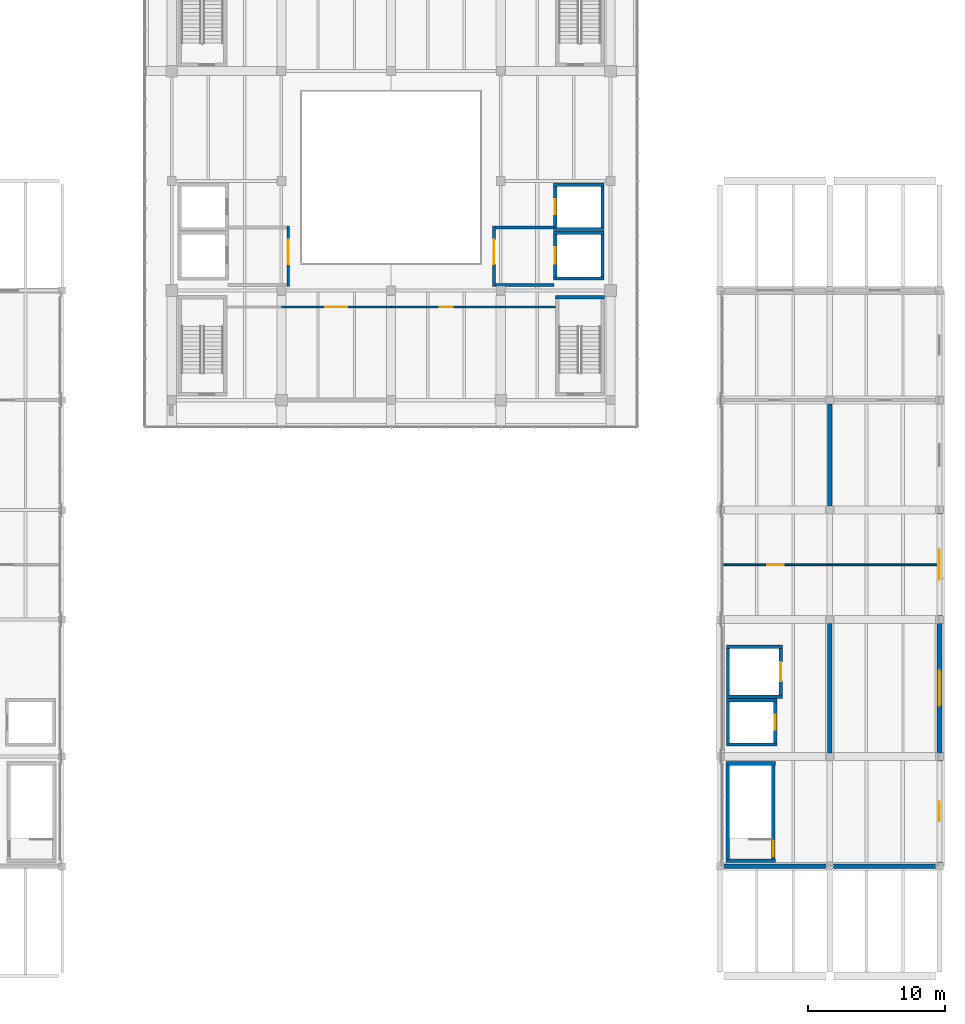
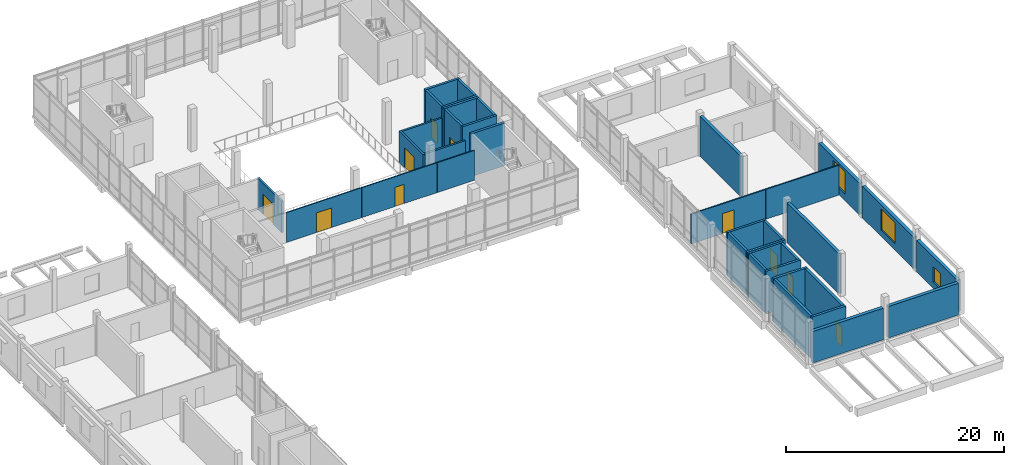
# One storey, part 21 of 28: 37 walls, 10 doors, 3 windows, 13 openings.
"""IFC4 building model written with IfcOpenShell, lengths in metres."""

from ifc_helpers import new_model, si_unit, direction, frame, frame_2d, origin, place, context, subcontext, project, spatial, rectangle, extrude, material, layer, layer_set, type_object, element, fill, save


model = new_model("IFC4")

# Units and contexts
model_context = context("Model", 3, precision=1e-05, world=origin(), true_north=direction((0.0, 1.0)))
body_context = subcontext(model_context, "Body", "Model", "MODEL_VIEW")
ifc_project = project(units=[si_unit("LENGTHUNIT", "METRE"), si_unit("AREAUNIT", "SQUARE_METRE"), si_unit("VOLUMEUNIT", "CUBIC_METRE"), si_unit("PLANEANGLEUNIT", "RADIAN"), si_unit("MASSUNIT", "GRAM", prefix="KILO")], contexts=[model_context])

# Site, building, storey
site_placement = place(None, origin())
site = spatial("IfcSite", under=ifc_project, at=site_placement, CompositionType="ELEMENT")
building_placement = place(site_placement, origin())
building = spatial("IfcBuilding", under=site, at=building_placement, Name="Pecanmere Concourse Central Library", CompositionType="ELEMENT")
storey_placement = place(building_placement, frame((0.0, 0.0, 20.10009765625)))
storey = spatial("IfcBuildingStorey", under=building, at=storey_placement, Name="L05", CompositionType="ELEMENT", Elevation=20.10009765625)

# Wall, opening, window
ifc_material_1 = material(Name="Texas cream limestone ashlar masonry", Category="masonry")
ifc_layer_1 = layer(ifc_material_1, 0.35009765625, Name="EW_LIME_350")
ifc_layer_set_1 = layer_set([ifc_layer_1], Name="Texas cream limestone ashlar masonry")
wall_type_1 = type_object("IfcWallType", Name="EW_LIME_350", PredefinedType="STANDARD", material=ifc_layer_set_1)
wall_1_placement = place(storey_placement, frame((128.0, 56.27001953125, 0.0), z_axis=(0.0, 0.0, 1.0), x_axis=(0.0, 1.0, 0.0)))
wall_1 = element("IfcWall", 1, at=wall_1_placement, inside=storey, type_object=wall_type_1, Name="Limestone Facade Wall L05-0199", PredefinedType="STANDARD", context=body_context, shape_type="SweptSolid", body=[
    extrude(rectangle(XDim=7.4599609375, YDim=0.35009765625, at=frame_2d((3.72998046875, 0.0))), origin(), (0.0, 0.0, 1.0), 3.539794921875),
])
opening_1_placement = place(wall_1_placement, frame((3.030029296875, 0.0, 0.719970703125)))
opening_1 = element("IfcOpeningElement", 2, at=opening_1_placement, cuts=wall_1, Name="Opening WN-11", PredefinedType="OPENING", context=body_context, shape_type="SweptSolid", body=[
    extrude(rectangle(XDim=1.39990234375, YDim=1.699951171875, at=frame_2d((0.699951171875, 0.85009765625))), frame((0.0, 0.18701171875, 0.0), z_axis=(0.0, -1.0, 0.0), x_axis=(1.0, 0.0, 0.0)), (0.0, 0.0, 1.0), 0.3740234375),
])
ifc_material_2 = material(Name="Low-iron clear insulated glazing", Category="glass")
window_type_1 = type_object("IfcWindowType", Name="WIN_1400x1700", PartitioningType="SINGLE_PANEL", PredefinedType="WINDOW", material=ifc_material_2)
window_1_placement = place(opening_1_placement, origin())
window_1 = element("IfcWindow", 3, at=window_1_placement, inside=storey, type_object=window_type_1, Name="WN-168", OverallHeight=1.699951171875, OverallWidth=1.39990234375, PartitioningType="SINGLE_PANEL", PredefinedType="WINDOW", context=body_context, shape_type="SweptSolid", body=[
    extrude(rectangle(XDim=1.39990234375, YDim=1.699951171875, at=frame_2d((0.699951171875, 0.85009765625))), frame((0.0, 0.030029296875, 0.0), z_axis=(0.0, -1.0, 0.0), x_axis=(1.0, 0.0, 0.0)), (0.0, 0.0, 1.0), 0.06005859375),
])
fill(opening_1, window_1)

wall_2_placement = place(storey_placement, frame((128.0, 64.27001953125, 0.0), z_axis=(0.0, 0.0, 1.0), x_axis=(0.0, 1.0, 0.0)))
wall_2 = element("IfcWall", 4, at=wall_2_placement, inside=storey, type_object=wall_type_1, Name="Limestone Facade Wall L05-0201", PredefinedType="STANDARD", context=body_context, shape_type="SweptSolid", body=[
    extrude(rectangle(XDim=9.4599609375, YDim=0.35009765625, at=frame_2d((4.72998046875, 0.0))), origin(), (0.0, 0.0, 1.0), 3.539794921875),
])
opening_2_placement = place(wall_2_placement, frame((3.429931640625, 0.0, 0.719970703125)))
opening_2 = element("IfcOpeningElement", 5, at=opening_2_placement, cuts=wall_2, Name="Opening WN-15", PredefinedType="OPENING", context=body_context, shape_type="SweptSolid", body=[
    extrude(rectangle(XDim=2.60009765625, YDim=2.39990234375, at=frame_2d((1.300048828125, 1.199951171875))), frame((0.0, 0.18701171875, 0.0), z_axis=(0.0, -1.0, 0.0), x_axis=(1.0, 0.0, 0.0)), (0.0, 0.0, 1.0), 0.3740234375),
])
ifc_material_3 = material(Name="Low-iron clear insulated glazing", Category="glass")
window_type_2 = type_object("IfcWindowType", Name="WIN_2600x2400", PartitioningType="SINGLE_PANEL", PredefinedType="WINDOW", material=ifc_material_3)
window_2_placement = place(opening_2_placement, origin())
window_2 = element("IfcWindow", 6, at=window_2_placement, inside=storey, type_object=window_type_2, Name="WN-170", OverallHeight=2.39990234375, OverallWidth=2.60009765625, PartitioningType="SINGLE_PANEL", PredefinedType="WINDOW", context=body_context, shape_type="SweptSolid", body=[
    extrude(rectangle(XDim=2.60009765625, YDim=2.39990234375, at=frame_2d((1.300048828125, 1.199951171875))), frame((0.0, 0.030029296875, 0.0), z_axis=(0.0, -1.0, 0.0), x_axis=(1.0, 0.0, 0.0)), (0.0, 0.0, 1.0), 0.06005859375),
])
fill(opening_2, window_2)

wall_3_placement = place(storey_placement, frame((128.0, 74.27001953125, 0.0), z_axis=(0.0, 0.0, 1.0), x_axis=(0.0, 1.0, 0.0)))
wall_3 = element("IfcWall", 7, at=wall_3_placement, inside=storey, type_object=wall_type_1, Name="Limestone Facade Wall L05-0203", PredefinedType="STANDARD", context=body_context, shape_type="SweptSolid", body=[
    extrude(rectangle(XDim=7.4599609375, YDim=0.35009765625, at=frame_2d((3.72998046875, 0.0))), origin(), (0.0, 0.0, 1.0), 3.539794921875),
])
opening_3_placement = place(wall_3_placement, frame((2.6298828125, 0.0, 0.719970703125)))
opening_3 = element("IfcOpeningElement", 8, at=opening_3_placement, cuts=wall_3, Name="Opening WN-02", PredefinedType="OPENING", context=body_context, shape_type="SweptSolid", body=[
    extrude(rectangle(XDim=2.199951171875, YDim=2.5, at=frame_2d((1.10009765625, 1.25))), frame((0.0, 0.18701171875, 0.0), z_axis=(0.0, -1.0, 0.0), x_axis=(1.0, 0.0, 0.0)), (0.0, 0.0, 1.0), 0.3740234375),
])
ifc_material_4 = material(Name="Low-iron clear insulated glazing", Category="glass")
window_type_3 = type_object("IfcWindowType", Name="WIN_2200x2500", PartitioningType="SINGLE_PANEL", PredefinedType="WINDOW", material=ifc_material_4)
window_3_placement = place(opening_3_placement, origin())
window_3 = element("IfcWindow", 9, at=window_3_placement, inside=storey, type_object=window_type_3, Name="WN-172", OverallHeight=2.5, OverallWidth=2.199951171875, PartitioningType="SINGLE_PANEL", PredefinedType="WINDOW", context=body_context, shape_type="SweptSolid", body=[
    extrude(rectangle(XDim=2.199951171875, YDim=2.5, at=frame_2d((1.10009765625, 1.25))), frame((0.0, 0.030029296875, 0.0), z_axis=(0.0, -1.0, 0.0), x_axis=(1.0, 0.0, 0.0)), (0.0, 0.0, 1.0), 0.06005859375),
])
fill(opening_3, window_3)

# Walls
for number, where, z_axis, x_axis, name in (
    (10, (112.27001953125, 56.0, 0.0), (0.0, 0.0, 1.0), (1.0, 0.0, 0.0), "Limestone Facade Wall L05-0209"),
    (11, (120.27001953125, 56.0, 0.0), (0.0, 0.0, 1.0), (1.0, 0.0, 0.0), "Limestone Facade Wall L05-0211"),
):
    element("IfcWall", number, at=place(storey_placement, frame(where, z_axis=z_axis, x_axis=x_axis)), inside=storey, type_object=wall_type_1, Name=name, PredefinedType="STANDARD", context=body_context, shape_type="SweptSolid", body=[
        extrude(rectangle(XDim=7.4599609375, YDim=0.35009765625, at=frame_2d((3.72998046875, 0.0))), origin(), (0.0, 0.0, 1.0), 3.539794921875),
    ])

# Wall, opening, door
ifc_material_5 = material(Name="Fire-rated gypsum board on acoustic steel stud", Category="steel")
ifc_layer_2 = layer(ifc_material_5, 0.114990234375, Name="IW_PART_115")
ifc_layer_set_2 = layer_set([ifc_layer_2], Name="Fire-rated gypsum board on acoustic steel stud")
wall_type_2 = type_object("IfcWallType", Name="IW_PART_115", PredefinedType="PARTITIONING", material=ifc_layer_set_2)
wall_4_placement = place(storey_placement, frame((80.02001953125, 96.800048828125, 0.0), z_axis=(0.0, 0.0, 1.0), x_axis=(1.0, 0.0, 0.0)))
wall_4 = element("IfcWall", 12, at=wall_4_placement, inside=storey, type_object=wall_type_2, Name="Interior Partition L05-0213", PredefinedType="PARTITIONING", context=body_context, shape_type="SweptSolid", body=[
    extrude(rectangle(XDim=7.97998046875, YDim=0.114990234375, at=frame_2d((3.989990234375, 0.0))), origin(), (0.0, 0.0, 1.0), 3.349853515625),
])
opening_4_placement = place(wall_4_placement, frame((3.18994140625, 0.0, 0.0)))
opening_4 = element("IfcOpeningElement", 13, at=opening_4_placement, cuts=wall_4, Name="Opening DT-02", PredefinedType="OPENING", context=body_context, shape_type="SweptSolid", body=[
    extrude(rectangle(XDim=1.60009765625, YDim=2.199951171875, at=frame_2d((0.800048828125, 1.10009765625))), frame((0.0, 0.0693359375, 0.0), z_axis=(0.0, -1.0, 0.0), x_axis=(1.0, 0.0, 0.0)), (0.0, 0.0, 1.0), 0.138916015625),
])
ifc_material_6 = material(Name="Solid white oak architectural joinery")
door_type_1 = type_object("IfcDoorType", Name="DT-02", OperationType="DOUBLE_DOOR_SINGLE_SWING", PredefinedType="DOOR", material=ifc_material_6)
door_1_placement = place(opening_4_placement, frame((1.60009765625, 0.0, 0.0), z_axis=(0.0, 0.0, 1.0), x_axis=(-1.0, 0.0, 0.0)))
door_1 = element("IfcDoor", 14, at=door_1_placement, inside=storey, type_object=door_type_1, Name="D-233", OperationType="DOUBLE_DOOR_SINGLE_SWING", OverallHeight=2.199951171875, OverallWidth=1.60009765625, PredefinedType="DOOR", context=body_context, shape_type="SweptSolid", body=[
    extrude(rectangle(XDim=1.60009765625, YDim=2.199951171875, at=frame_2d((0.800048828125, 1.10009765625))), frame((0.0, 0.02490234375, 0.0), z_axis=(0.0, -1.0, 0.0), x_axis=(1.0, 0.0, 0.0)), (0.0, 0.0, 1.0), 0.050048828125),
])
fill(opening_4, door_1)

wall_5_placement = place(storey_placement, frame((88.02001953125, 96.800048828125, 0.0), z_axis=(0.0, 0.0, 1.0), x_axis=(1.0, 0.0, 0.0)))
wall_5 = element("IfcWall", 15, at=wall_5_placement, inside=storey, type_object=wall_type_2, Name="Interior Partition L05-0214", PredefinedType="PARTITIONING", context=body_context, shape_type="SweptSolid", body=[
    extrude(rectangle(XDim=7.97998046875, YDim=0.114990234375, at=frame_2d((3.989990234375, 0.0))), origin(), (0.0, 0.0, 1.0), 3.349853515625),
])
opening_5_placement = place(wall_5_placement, frame((3.514892578125, 0.0, 0.0)))
opening_5 = element("IfcOpeningElement", 16, at=opening_5_placement, cuts=wall_5, Name="Opening DT-06", PredefinedType="OPENING", context=body_context, shape_type="SweptSolid", body=[
    extrude(rectangle(XDim=0.949951171875, YDim=2.14990234375, at=frame_2d((0.47509765625, 1.074951171875))), frame((0.0, 0.0693359375, 0.0), z_axis=(0.0, -1.0, 0.0), x_axis=(1.0, 0.0, 0.0)), (0.0, 0.0, 1.0), 0.138916015625),
])
ifc_material_7 = material(Name="Solid white oak architectural joinery")
door_type_2 = type_object("IfcDoorType", Name="DT-06", OperationType="SINGLE_SWING_RIGHT", PredefinedType="DOOR", material=ifc_material_7)
door_2_placement = place(opening_5_placement, origin())
door_2 = element("IfcDoor", 17, at=door_2_placement, inside=storey, type_object=door_type_2, Name="D-234", OperationType="SINGLE_SWING_RIGHT", OverallHeight=2.14990234375, OverallWidth=0.949951171875, PredefinedType="DOOR", context=body_context, shape_type="SweptSolid", body=[
    extrude(rectangle(XDim=0.949951171875, YDim=2.14990234375, at=frame_2d((0.47509765625, 1.074951171875))), frame((0.0, 0.02490234375, 0.0), z_axis=(0.0, -1.0, 0.0), x_axis=(1.0, 0.0, 0.0)), (0.0, 0.0, 1.0), 0.050048828125),
])
fill(opening_5, door_2)

# Wall
wall_6_placement = place(storey_placement, frame((96.02001953125, 96.800048828125, 0.0), z_axis=(0.0, 0.0, 1.0), x_axis=(1.0, 0.0, 0.0)))
element("IfcWall", 18, at=wall_6_placement, inside=storey, type_object=wall_type_2, Name="Interior Partition L05-0215", PredefinedType="PARTITIONING", context=body_context, shape_type="SweptSolid", body=[
    extrude(rectangle(XDim=3.949951171875, YDim=0.114990234375, at=frame_2d((1.97509765625, 0.0))), origin(), (0.0, 0.0, 1.0), 3.349853515625),
])

# Wall, opening, door
ifc_material_8 = material(Name="Fire-rated gypsum board on acoustic steel stud", Category="steel")
ifc_layer_3 = layer(ifc_material_8, 0.135009765625, Name="IW_PART_135")
ifc_layer_set_3 = layer_set([ifc_layer_3], Name="Fire-rated gypsum board on acoustic steel stud")
wall_type_3 = type_object("IfcWallType", Name="IW_PART_135", PredefinedType="PARTITIONING", material=ifc_layer_set_3)
wall_7_placement = place(storey_placement, frame((112.10009765625, 78.0, 0.0), z_axis=(0.0, 0.0, 1.0), x_axis=(1.0, 0.0, 0.0)))
wall_7 = element("IfcWall", 19, at=wall_7_placement, inside=storey, type_object=wall_type_3, Name="Interior Partition L05-0204", PredefinedType="PARTITIONING", context=body_context, shape_type="SweptSolid", body=[
    extrude(rectangle(XDim=7.89990234375, YDim=0.135009765625, at=frame_2d((3.949951171875, 0.0))), origin(), (0.0, 0.0, 1.0), 3.349853515625),
])
opening_6_placement = place(wall_7_placement, frame((3.35009765625, 0.0, 0.0)))
opening_6 = element("IfcOpeningElement", 20, at=opening_6_placement, cuts=wall_7, Name="Opening FD-04", PredefinedType="OPENING", context=body_context, shape_type="SweptSolid", body=[
    extrude(rectangle(XDim=1.199951171875, YDim=2.25, at=frame_2d((0.60009765625, 1.125))), frame((0.0, 0.07958984375, 0.0), z_axis=(0.0, -1.0, 0.0), x_axis=(1.0, 0.0, 0.0)), (0.0, 0.0, 1.0), 0.158935546875),
])
ifc_material_9 = material(Name="Painted architectural steel ASTM A36", Category="steel")
door_type_3 = type_object("IfcDoorType", Name="FD-04", OperationType="SINGLE_SWING_LEFT", PredefinedType="DOOR", material=ifc_material_9)
door_3_placement = place(opening_6_placement, origin())
door_3 = element("IfcDoor", 21, at=door_3_placement, inside=storey, type_object=door_type_3, Name="D-226", OperationType="SINGLE_SWING_LEFT", OverallHeight=2.25, OverallWidth=1.199951171875, PredefinedType="DOOR", context=body_context, shape_type="SweptSolid", body=[
    extrude(rectangle(XDim=1.199951171875, YDim=2.25, at=frame_2d((0.60009765625, 1.125))), frame((0.0, 0.02490234375, 0.0), z_axis=(0.0, -1.0, 0.0), x_axis=(1.0, 0.0, 0.0)), (0.0, 0.0, 1.0), 0.050048828125),
])
fill(opening_6, door_3)

# Wall
wall_8_placement = place(storey_placement, frame((120.02001953125, 78.0, 0.0), z_axis=(0.0, 0.0, 1.0), x_axis=(1.0, 0.0, 0.0)))
element("IfcWall", 22, at=wall_8_placement, inside=storey, type_object=wall_type_3, Name="Interior Partition L05-0205", PredefinedType="PARTITIONING", context=body_context, shape_type="SweptSolid", body=[
    extrude(rectangle(XDim=7.794921875, YDim=0.135009765625, at=frame_2d((3.8974609375, 0.0))), origin(), (0.0, 0.0, 1.0), 3.349853515625),
])

# Wall, opening, door
ifc_material_10 = material(Name="Fire-rated gypsum board on acoustic steel stud", Category="steel")
ifc_layer_4 = layer(ifc_material_10, 0.199951171875, Name="IW_PART_200")
ifc_layer_set_4 = layer_set([ifc_layer_4], Name="Fire-rated gypsum board on acoustic steel stud")
wall_type_4 = type_object("IfcWallType", Name="IW_PART_200", PredefinedType="PARTITIONING", material=ifc_layer_set_4)
wall_9_placement = place(storey_placement, frame((80.5, 98.300048828125, 0.0), z_axis=(0.0, 0.0, 1.0), x_axis=(0.0, 1.0, 0.0)))
wall_9 = element("IfcWall", 23, at=wall_9_placement, inside=storey, type_object=wall_type_4, Name="Firefighting Lobby Door Wall W-L05", PredefinedType="PARTITIONING", context=body_context, shape_type="SweptSolid", body=[
    extrude(rectangle(XDim=4.39990234375, YDim=0.199951171875, at=frame_2d((2.199951171875, 0.0))), origin(), (0.0, 0.0, 1.0), 3.52001953125),
])
opening_7_placement = place(wall_9_placement, frame((1.6201171875, 0.0, 0.0)))
opening_7 = element("IfcOpeningElement", 24, at=opening_7_placement, cuts=wall_9, Name="Opening FD-03", PredefinedType="OPENING", context=body_context, shape_type="SweptSolid", body=[
    extrude(rectangle(XDim=1.800048828125, YDim=2.25, at=frame_2d((0.89990234375, 1.125))), frame((0.0, 0.11181640625, 0.0), z_axis=(0.0, -1.0, 0.0), x_axis=(1.0, 0.0, 0.0)), (0.0, 0.0, 1.0), 0.223876953125),
])
ifc_material_11 = material(Name="Painted architectural steel ASTM A36", Category="steel")
door_type_4 = type_object("IfcDoorType", Name="FD-03", OperationType="DOUBLE_DOOR_SINGLE_SWING", PredefinedType="DOOR", material=ifc_material_11)
door_4_placement = place(opening_7_placement, origin())
door_4 = element("IfcDoor", 25, at=door_4_placement, inside=storey, type_object=door_type_4, Name="D-119", OperationType="DOUBLE_DOOR_SINGLE_SWING", OverallHeight=2.25, OverallWidth=1.800048828125, PredefinedType="DOOR", context=body_context, shape_type="SweptSolid", body=[
    extrude(rectangle(XDim=1.800048828125, YDim=2.25, at=frame_2d((0.89990234375, 1.125))), frame((0.0, 0.02490234375, 0.0), z_axis=(0.0, -1.0, 0.0), x_axis=(1.0, 0.0, 0.0)), (0.0, 0.0, 1.0), 0.050048828125),
])
fill(opening_7, door_4)

# Walls
for number, where, z_axis, x_axis, name in (
    (26, (95.6201171875, 98.39990234375, 0.0), (0.0, 0.0, 1.0), (1.0, 0.0, 0.0), "Firefighting Lobby Wall E-L05-S"),
    (27, (95.6201171875, 102.60009765625, 0.0), (0.0, 0.0, 1.0), (1.0, 0.0, 0.0), "Firefighting Lobby Wall E-L05-N"),
):
    element("IfcWall", number, at=place(storey_placement, frame(where, z_axis=z_axis, x_axis=x_axis)), inside=storey, type_object=wall_type_4, Name=name, PredefinedType="PARTITIONING", context=body_context, shape_type="SweptSolid", body=[
        extrude(rectangle(XDim=4.27978515625, YDim=0.199951171875, at=frame_2d((2.139892578125, 0.0))), origin(), (0.0, 0.0, 1.0), 3.52001953125),
    ])

# Wall, opening, door
wall_10_placement = place(storey_placement, frame((95.5, 98.300048828125, 0.0), z_axis=(0.0, 0.0, 1.0), x_axis=(0.0, 1.0, 0.0)))
wall_10 = element("IfcWall", 28, at=wall_10_placement, inside=storey, type_object=wall_type_4, Name="Firefighting Lobby Door Wall E-L05", PredefinedType="PARTITIONING", context=body_context, shape_type="SweptSolid", body=[
    extrude(rectangle(XDim=4.39990234375, YDim=0.199951171875, at=frame_2d((2.199951171875, 0.0))), origin(), (0.0, 0.0, 1.0), 3.52001953125),
])
opening_8_placement = place(wall_10_placement, frame((1.6201171875, 0.0, 0.0)))
opening_8 = element("IfcOpeningElement", 29, at=opening_8_placement, cuts=wall_10, Name="Opening FD-03", PredefinedType="OPENING", context=body_context, shape_type="SweptSolid", body=[
    extrude(rectangle(XDim=1.800048828125, YDim=2.25, at=frame_2d((0.89990234375, 1.125))), frame((0.0, 0.11181640625, 0.0), z_axis=(0.0, -1.0, 0.0), x_axis=(1.0, 0.0, 0.0)), (0.0, 0.0, 1.0), 0.223876953125),
])
door_5_placement = place(opening_8_placement, origin())
door_5 = element("IfcDoor", 30, at=door_5_placement, inside=storey, type_object=door_type_4, Name="D-120", OperationType="DOUBLE_DOOR_SINGLE_SWING", OverallHeight=2.25, OverallWidth=1.800048828125, PredefinedType="DOOR", context=body_context, shape_type="SweptSolid", body=[
    extrude(rectangle(XDim=1.800048828125, YDim=2.25, at=frame_2d((0.89990234375, 1.125))), frame((0.0, 0.02490234375, 0.0), z_axis=(0.0, -1.0, 0.0), x_axis=(1.0, 0.0, 0.0)), (0.0, 0.0, 1.0), 0.050048828125),
])
fill(opening_8, door_5)

# Walls
ifc_material_12 = material(Name="Concrete C40/50", Category="concrete")
ifc_layer_5 = layer(ifc_material_12, 0.320068359375, Name="WALL_SHR_320")
ifc_layer_set_5 = layer_set([ifc_layer_5], Name="Concrete C40/50")
wall_type_5 = type_object("IfcWallType", Name="WALL_SHR_320", PredefinedType="SHEAR", material=ifc_layer_set_5)
wall_11_placement = place(storey_placement, frame((120.0, 64.27490234375, 0.0), z_axis=(0.0, 0.0, 1.0), x_axis=(0.0, 1.0, 0.0)))
element("IfcWall", 31, at=wall_11_placement, inside=storey, type_object=wall_type_5, Name="Lateral Shear Wall L05-006", PredefinedType="SHEAR", context=body_context, shape_type="SweptSolid", body=[
    extrude(rectangle(XDim=9.4501953125, YDim=0.320068359375, at=frame_2d((4.72509765625, 0.0))), origin(), (0.0, 0.0, 1.0), 4.5),
])
wall_12_placement = place(storey_placement, frame((120.0, 82.27490234375, 0.0), z_axis=(0.0, 0.0, 1.0), x_axis=(0.0, 1.0, 0.0)))
element("IfcWall", 32, at=wall_12_placement, inside=storey, type_object=wall_type_5, Name="Lateral Shear Wall L05-012", PredefinedType="SHEAR", context=body_context, shape_type="SweptSolid", body=[
    extrude(rectangle(XDim=7.4501953125, YDim=0.320068359375, at=frame_2d((3.72509765625, 0.0))), origin(), (0.0, 0.0, 1.0), 4.5),
])
ifc_material_13 = material(Name="Concrete C40/50", Category="concrete")
ifc_layer_6 = layer(ifc_material_13, 0.239990234375, Name="WALL_SLD_240")
ifc_layer_set_6 = layer_set([ifc_layer_6], Name="Concrete C40/50")
wall_type_6 = type_object("IfcWallType", Name="WALL_SLD_240", PredefinedType="SOLIDWALL", material=ifc_layer_set_6)
for number, where, z_axis, x_axis, name in (
    (33, (99.860107421875, 98.8798828125, 0.0), (0.0, 0.0, 1.0), (1.0, 0.0, 0.0), "Hoistway Wall LF-02 L05-S"),
    (34, (99.860107421875, 102.219970703125, 0.0), (0.0, 0.0, 1.0), (1.0, 0.0, 0.0), "Hoistway Wall LF-02 L05-N"),
):
    element("IfcWall", number, at=place(storey_placement, frame(where, z_axis=z_axis, x_axis=x_axis)), inside=storey, type_object=wall_type_6, Name=name, PredefinedType="SOLIDWALL", context=body_context, shape_type="SweptSolid", body=[
        extrude(rectangle(XDim=3.679931640625, YDim=0.239990234375, at=frame_2d((1.83984375, 0.0))), origin(), (0.0, 0.0, 1.0), 4.7998046875),
    ])

# Wall, opening, door
wall_13_placement = place(storey_placement, frame((99.97998046875, 99.0, 0.0), z_axis=(0.0, 0.0, 1.0), x_axis=(0.0, 1.0, 0.0)))
wall_13 = element("IfcWall", 35, at=wall_13_placement, inside=storey, type_object=wall_type_6, Name="Hoistway Wall LF-02 L05-W", PredefinedType="SOLIDWALL", context=body_context, shape_type="SweptSolid", body=[
    extrude(rectangle(XDim=3.10009765625, YDim=0.239990234375, at=frame_2d((1.550048828125, 0.0))), origin(), (0.0, 0.0, 1.0), 4.7998046875),
])
opening_9_placement = place(wall_13_placement, frame((0.949951171875, 0.0, 0.0)))
opening_9 = element("IfcOpeningElement", 36, at=opening_9_placement, cuts=wall_13, Name="Opening LD-02", PredefinedType="OPENING", context=body_context, shape_type="SweptSolid", body=[
    extrude(rectangle(XDim=1.199951171875, YDim=2.199951171875, at=frame_2d((0.60009765625, 1.10009765625))), frame((0.0, 0.1318359375, 0.0), z_axis=(0.0, -1.0, 0.0), x_axis=(1.0, 0.0, 0.0)), (0.0, 0.0, 1.0), 0.263916015625),
])
ifc_material_14 = material(Name="Brushed stainless steel Grade 316", Category="steel")
door_type_5 = type_object("IfcDoorType", Name="LD-02", OperationType="DOUBLE_DOOR_SLIDING", PredefinedType="DOOR", material=ifc_material_14)
door_6_placement = place(opening_9_placement, origin())
door_6 = element("IfcDoor", 37, at=door_6_placement, inside=storey, type_object=door_type_5, Name="LD-LF-02-L05", OperationType="DOUBLE_DOOR_SLIDING", OverallHeight=2.199951171875, OverallWidth=1.199951171875, PredefinedType="DOOR", context=body_context, shape_type="SweptSolid", body=[
    extrude(rectangle(XDim=1.199951171875, YDim=2.199951171875, at=frame_2d((0.60009765625, 1.10009765625))), frame((0.0, 0.02490234375, 0.0), z_axis=(0.0, -1.0, 0.0), x_axis=(1.0, 0.0, 0.0)), (0.0, 0.0, 1.0), 0.050048828125),
])
fill(opening_9, door_6)

# Walls
wall_14_placement = place(storey_placement, frame((103.419921875, 99.0, 0.0), z_axis=(0.0, 0.0, 1.0), x_axis=(0.0, 1.0, 0.0)))
element("IfcWall", 38, at=wall_14_placement, inside=storey, type_object=wall_type_6, Name="Hoistway Wall LF-02 L05-E", PredefinedType="SOLIDWALL", context=body_context, shape_type="SweptSolid", body=[
    extrude(rectangle(XDim=3.10009765625, YDim=0.239990234375, at=frame_2d((1.550048828125, 0.0))), origin(), (0.0, 0.0, 1.0), 4.7998046875),
])
for number, where, z_axis, x_axis, name in (
    (39, (99.860107421875, 102.47998046875, 0.0), (0.0, 0.0, 1.0), (1.0, 0.0, 0.0), "Hoistway Wall LP-02 L05-S"),
    (40, (99.860107421875, 105.719970703125, 0.0), (0.0, 0.0, 1.0), (1.0, 0.0, 0.0), "Hoistway Wall LP-02 L05-N"),
):
    element("IfcWall", number, at=place(storey_placement, frame(where, z_axis=z_axis, x_axis=x_axis)), inside=storey, type_object=wall_type_6, Name=name, PredefinedType="SOLIDWALL", context=body_context, shape_type="SweptSolid", body=[
        extrude(rectangle(XDim=3.679931640625, YDim=0.239990234375, at=frame_2d((1.83984375, 0.0))), origin(), (0.0, 0.0, 1.0), 4.7998046875),
    ])

# Wall, opening, door
wall_15_placement = place(storey_placement, frame((99.97998046875, 102.60009765625, 0.0), z_axis=(0.0, 0.0, 1.0), x_axis=(0.0, 1.0, 0.0)))
wall_15 = element("IfcWall", 41, at=wall_15_placement, inside=storey, type_object=wall_type_6, Name="Hoistway Wall LP-02 L05-W", PredefinedType="SOLIDWALL", context=body_context, shape_type="SweptSolid", body=[
    extrude(rectangle(XDim=3.0, YDim=0.239990234375, at=frame_2d((1.5, 0.0))), origin(), (0.0, 0.0, 1.0), 4.7998046875),
])
opening_10_placement = place(wall_15_placement, frame((0.949951171875, 0.0, 0.0)))
opening_10 = element("IfcOpeningElement", 42, at=opening_10_placement, cuts=wall_15, Name="Opening LD-01", PredefinedType="OPENING", context=body_context, shape_type="SweptSolid", body=[
    extrude(rectangle(XDim=1.10009765625, YDim=2.199951171875, at=frame_2d((0.550048828125, 1.10009765625))), frame((0.0, 0.1318359375, 0.0), z_axis=(0.0, -1.0, 0.0), x_axis=(1.0, 0.0, 0.0)), (0.0, 0.0, 1.0), 0.263916015625),
])
ifc_material_15 = material(Name="Brushed stainless steel Grade 316", Category="steel")
door_type_6 = type_object("IfcDoorType", Name="LD-01", OperationType="DOUBLE_DOOR_SLIDING", PredefinedType="DOOR", material=ifc_material_15)
door_7_placement = place(opening_10_placement, origin())
door_7 = element("IfcDoor", 43, at=door_7_placement, inside=storey, type_object=door_type_6, Name="LD-LP-02-L05", OperationType="DOUBLE_DOOR_SLIDING", OverallHeight=2.199951171875, OverallWidth=1.10009765625, PredefinedType="DOOR", context=body_context, shape_type="SweptSolid", body=[
    extrude(rectangle(XDim=1.10009765625, YDim=2.199951171875, at=frame_2d((0.550048828125, 1.10009765625))), frame((0.0, 0.02490234375, 0.0), z_axis=(0.0, -1.0, 0.0), x_axis=(1.0, 0.0, 0.0)), (0.0, 0.0, 1.0), 0.050048828125),
])
fill(opening_10, door_7)

# Walls
wall_16_placement = place(storey_placement, frame((103.419921875, 102.60009765625, 0.0), z_axis=(0.0, 0.0, 1.0), x_axis=(0.0, 1.0, 0.0)))
element("IfcWall", 44, at=wall_16_placement, inside=storey, type_object=wall_type_6, Name="Hoistway Wall LP-02 L05-E", PredefinedType="SOLIDWALL", context=body_context, shape_type="SweptSolid", body=[
    extrude(rectangle(XDim=3.0, YDim=0.239990234375, at=frame_2d((1.5, 0.0))), origin(), (0.0, 0.0, 1.0), 4.7998046875),
])
for number, where, z_axis, x_axis, name in (
    (45, (112.4599609375, 64.8798828125, 0.0), (0.0, 0.0, 1.0), (1.0, 0.0, 0.0), "Hoistway Wall LP-03 L05-S"),
    (46, (112.4599609375, 68.1201171875, 0.0), (0.0, 0.0, 1.0), (1.0, 0.0, 0.0), "Hoistway Wall LP-03 L05-N"),
):
    element("IfcWall", number, at=place(storey_placement, frame(where, z_axis=z_axis, x_axis=x_axis)), inside=storey, type_object=wall_type_6, Name=name, PredefinedType="SOLIDWALL", context=body_context, shape_type="SweptSolid", body=[
        extrude(rectangle(XDim=3.679931640625, YDim=0.239990234375, at=frame_2d((1.83984375, 0.0))), origin(), (0.0, 0.0, 1.0), 4.7998046875),
    ])
wall_17_placement = place(storey_placement, frame((112.580078125, 65.0, 0.0), z_axis=(0.0, 0.0, 1.0), x_axis=(0.0, 1.0, 0.0)))
element("IfcWall", 47, at=wall_17_placement, inside=storey, type_object=wall_type_6, Name="Hoistway Wall LP-03 L05-W", PredefinedType="SOLIDWALL", context=body_context, shape_type="SweptSolid", body=[
    extrude(rectangle(XDim=3.0, YDim=0.239990234375, at=frame_2d((1.5, 0.0))), origin(), (0.0, 0.0, 1.0), 4.7998046875),
])

# Wall, opening, door
wall_18_placement = place(storey_placement, frame((116.02001953125, 65.0, 0.0), z_axis=(0.0, 0.0, 1.0), x_axis=(0.0, 1.0, 0.0)))
wall_18 = element("IfcWall", 48, at=wall_18_placement, inside=storey, type_object=wall_type_6, Name="Hoistway Wall LP-03 L05-E", PredefinedType="SOLIDWALL", context=body_context, shape_type="SweptSolid", body=[
    extrude(rectangle(XDim=3.0, YDim=0.239990234375, at=frame_2d((1.5, 0.0))), origin(), (0.0, 0.0, 1.0), 4.7998046875),
])
opening_11_placement = place(wall_18_placement, frame((0.949951171875, 0.0, 0.0)))
opening_11 = element("IfcOpeningElement", 49, at=opening_11_placement, cuts=wall_18, Name="Opening LD-01", PredefinedType="OPENING", context=body_context, shape_type="SweptSolid", body=[
    extrude(rectangle(XDim=1.10009765625, YDim=2.199951171875, at=frame_2d((0.550048828125, 1.10009765625))), frame((0.0, 0.1318359375, 0.0), z_axis=(0.0, -1.0, 0.0), x_axis=(1.0, 0.0, 0.0)), (0.0, 0.0, 1.0), 0.263916015625),
])
door_8_placement = place(opening_11_placement, origin())
door_8 = element("IfcDoor", 50, at=door_8_placement, inside=storey, type_object=door_type_6, Name="LD-LP-03-L05", OperationType="DOUBLE_DOOR_SLIDING", OverallHeight=2.199951171875, OverallWidth=1.10009765625, PredefinedType="DOOR", context=body_context, shape_type="SweptSolid", body=[
    extrude(rectangle(XDim=1.10009765625, YDim=2.199951171875, at=frame_2d((0.550048828125, 1.10009765625))), frame((0.0, 0.02490234375, 0.0), z_axis=(0.0, -1.0, 0.0), x_axis=(1.0, 0.0, 0.0)), (0.0, 0.0, 1.0), 0.050048828125),
])
fill(opening_11, door_8)

# Walls
for number, where, z_axis, x_axis, name in (
    (51, (112.4599609375, 68.3798828125, 0.0), (0.0, 0.0, 1.0), (1.0, 0.0, 0.0), "Hoistway Wall LS-01 L05-S"),
    (52, (112.4599609375, 72.02001953125, 0.0), (0.0, 0.0, 1.0), (1.0, 0.0, 0.0), "Hoistway Wall LS-01 L05-N"),
):
    element("IfcWall", number, at=place(storey_placement, frame(where, z_axis=z_axis, x_axis=x_axis)), inside=storey, type_object=wall_type_6, Name=name, PredefinedType="SOLIDWALL", context=body_context, shape_type="SweptSolid", body=[
        extrude(rectangle(XDim=4.080078125, YDim=0.239990234375, at=frame_2d((2.0400390625, 0.0))), origin(), (0.0, 0.0, 1.0), 4.7998046875),
    ])
wall_19_placement = place(storey_placement, frame((112.580078125, 68.5, 0.0), z_axis=(0.0, 0.0, 1.0), x_axis=(0.0, 1.0, 0.0)))
element("IfcWall", 53, at=wall_19_placement, inside=storey, type_object=wall_type_6, Name="Hoistway Wall LS-01 L05-W", PredefinedType="SOLIDWALL", context=body_context, shape_type="SweptSolid", body=[
    extrude(rectangle(XDim=3.39990234375, YDim=0.239990234375, at=frame_2d((1.699951171875, 0.0))), origin(), (0.0, 0.0, 1.0), 4.7998046875),
])

# Wall, opening, door
wall_20_placement = place(storey_placement, frame((116.419921875, 68.5, 0.0), z_axis=(0.0, 0.0, 1.0), x_axis=(0.0, 1.0, 0.0)))
wall_20 = element("IfcWall", 54, at=wall_20_placement, inside=storey, type_object=wall_type_6, Name="Hoistway Wall LS-01 L05-E", PredefinedType="SOLIDWALL", context=body_context, shape_type="SweptSolid", body=[
    extrude(rectangle(XDim=3.39990234375, YDim=0.239990234375, at=frame_2d((1.699951171875, 0.0))), origin(), (0.0, 0.0, 1.0), 4.7998046875),
])
opening_12_placement = place(wall_20_placement, frame((1.0, 0.0, 0.0)))
opening_12 = element("IfcOpeningElement", 55, at=opening_12_placement, cuts=wall_20, Name="Opening LD-03", PredefinedType="OPENING", context=body_context, shape_type="SweptSolid", body=[
    extrude(rectangle(XDim=1.39990234375, YDim=2.300048828125, at=frame_2d((0.699951171875, 1.14990234375))), frame((0.0, 0.1318359375, 0.0), z_axis=(0.0, -1.0, 0.0), x_axis=(1.0, 0.0, 0.0)), (0.0, 0.0, 1.0), 0.263916015625),
])
ifc_material_16 = material(Name="Brushed stainless steel Grade 316", Category="steel")
door_type_7 = type_object("IfcDoorType", Name="LD-03", OperationType="DOUBLE_DOOR_SLIDING", PredefinedType="DOOR", material=ifc_material_16)
door_9_placement = place(opening_12_placement, origin())
door_9 = element("IfcDoor", 56, at=door_9_placement, inside=storey, type_object=door_type_7, Name="LD-LS-01-L05", OperationType="DOUBLE_DOOR_SLIDING", OverallHeight=2.300048828125, OverallWidth=1.39990234375, PredefinedType="DOOR", context=body_context, shape_type="SweptSolid", body=[
    extrude(rectangle(XDim=1.39990234375, YDim=2.300048828125, at=frame_2d((0.699951171875, 1.14990234375))), frame((0.0, 0.02490234375, 0.0), z_axis=(0.0, -1.0, 0.0), x_axis=(1.0, 0.0, 0.0)), (0.0, 0.0, 1.0), 0.050048828125),
])
fill(opening_12, door_9)

# Walls
ifc_material_17 = material(Name="Concrete C40/50", Category="concrete")
ifc_layer_7 = layer(ifc_material_17, 0.260009765625, Name="WALL_SLD_260")
ifc_layer_set_7 = layer_set([ifc_layer_7], Name="Concrete C40/50")
wall_type_7 = type_object("IfcWallType", Name="WALL_SLD_260", PredefinedType="SOLIDWALL", material=ifc_layer_set_7)
for number, where, z_axis, x_axis, name in (
    (57, (99.97998046875, 97.5, 0.0), (0.0, 0.0, 1.0), (1.0, 0.0, 0.0), "Core C2 North Wall L05"),
    (58, (112.43994140625, 56.419921875, 0.0), (0.0, 0.0, 1.0), (1.0, 0.0, 0.0), "Core C5 South Wall L05"),
    (59, (112.43994140625, 63.5, 0.0), (0.0, 0.0, 1.0), (1.0, 0.0, 0.0), "Core C5 North Wall L05"),
):
    element("IfcWall", number, at=place(storey_placement, frame(where, z_axis=z_axis, x_axis=x_axis)), inside=storey, type_object=wall_type_7, Name=name, PredefinedType="SOLIDWALL", context=body_context, shape_type="SweptSolid", body=[
        extrude(rectangle(XDim=3.580078125, YDim=0.260009765625, at=frame_2d((1.7900390625, 0.0))), origin(), (0.0, 0.0, 1.0), 4.7998046875),
    ])
wall_21_placement = place(storey_placement, frame((112.570068359375, 56.550048828125, 0.0), z_axis=(0.0, 0.0, 1.0), x_axis=(0.0, 1.0, 0.0)))
element("IfcWall", 60, at=wall_21_placement, inside=storey, type_object=wall_type_7, Name="Core C5 W Wall L05", PredefinedType="SOLIDWALL", context=body_context, shape_type="SweptSolid", body=[
    extrude(rectangle(XDim=6.820068359375, YDim=0.260009765625, at=frame_2d((3.41015625, 0.0))), origin(), (0.0, 0.0, 1.0), 4.7998046875),
])

# Wall, opening, door
wall_22_placement = place(storey_placement, frame((115.889892578125, 56.550048828125, 0.0), z_axis=(0.0, 0.0, 1.0), x_axis=(0.0, 1.0, 0.0)))
wall_22 = element("IfcWall", 61, at=wall_22_placement, inside=storey, type_object=wall_type_7, Name="Core C5 E Wall L05", PredefinedType="SOLIDWALL", context=body_context, shape_type="SweptSolid", body=[
    extrude(rectangle(XDim=6.820068359375, YDim=0.260009765625, at=frame_2d((3.41015625, 0.0))), origin(), (0.0, 0.0, 1.0), 4.7998046875),
])
opening_13_placement = place(wall_22_placement, frame((0.18994140625, 0.0, 0.0)))
opening_13 = element("IfcOpeningElement", 62, at=opening_13_placement, cuts=wall_22, Name="Opening FD-01", PredefinedType="OPENING", context=body_context, shape_type="SweptSolid", body=[
    extrude(rectangle(XDim=1.10009765625, YDim=2.199951171875, at=frame_2d((0.550048828125, 1.10009765625))), frame((0.0, 0.14208984375, 0.0), z_axis=(0.0, -1.0, 0.0), x_axis=(1.0, 0.0, 0.0)), (0.0, 0.0, 1.0), 0.283935546875),
])
ifc_material_18 = material(Name="Painted architectural steel ASTM A36", Category="steel")
door_type_8 = type_object("IfcDoorType", Name="FD-01", OperationType="SINGLE_SWING_LEFT", PredefinedType="DOOR", material=ifc_material_18)
door_10_placement = place(opening_13_placement, frame((1.10009765625, 0.0, 0.0), z_axis=(0.0, 0.0, 1.0), x_axis=(-1.0, 0.0, 0.0)))
door_10 = element("IfcDoor", 63, at=door_10_placement, inside=storey, type_object=door_type_8, Name="D-038", OperationType="SINGLE_SWING_LEFT", OverallHeight=2.199951171875, OverallWidth=1.10009765625, PredefinedType="DOOR", context=body_context, shape_type="SweptSolid", body=[
    extrude(rectangle(XDim=1.10009765625, YDim=2.199951171875, at=frame_2d((0.550048828125, 1.10009765625))), frame((0.0, 0.02490234375, 0.0), z_axis=(0.0, -1.0, 0.0), x_axis=(1.0, 0.0, 0.0)), (0.0, 0.0, 1.0), 0.050048828125),
])
fill(opening_13, door_10)

save(model, "model.ifc")
